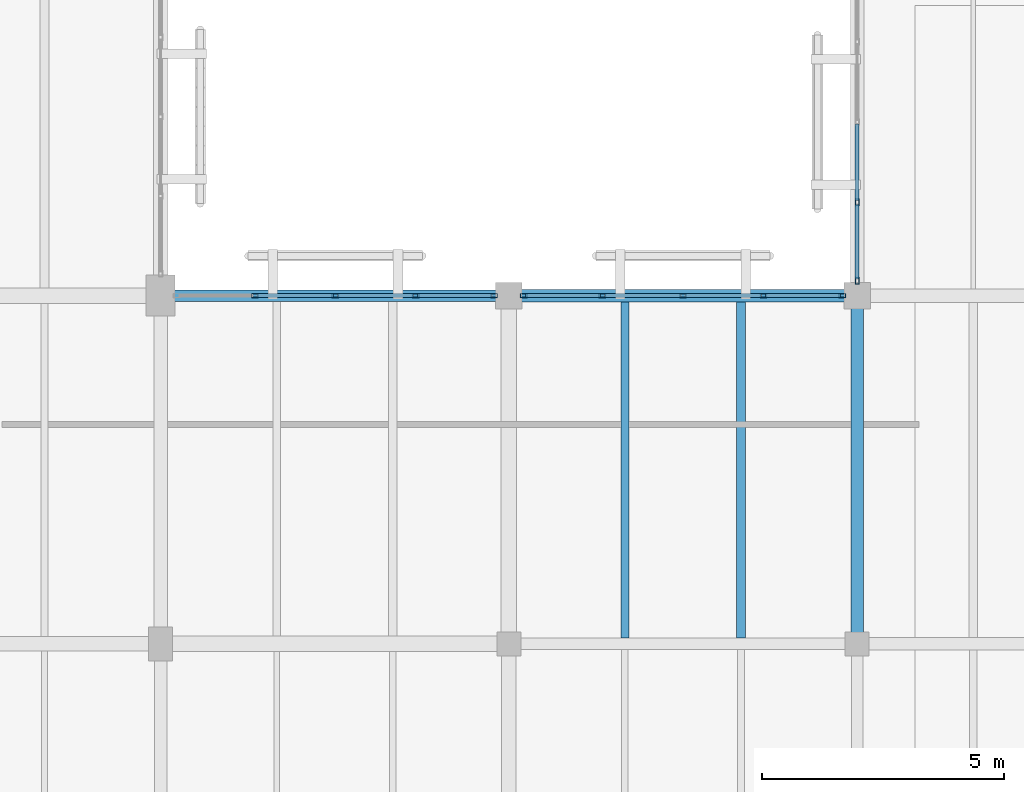
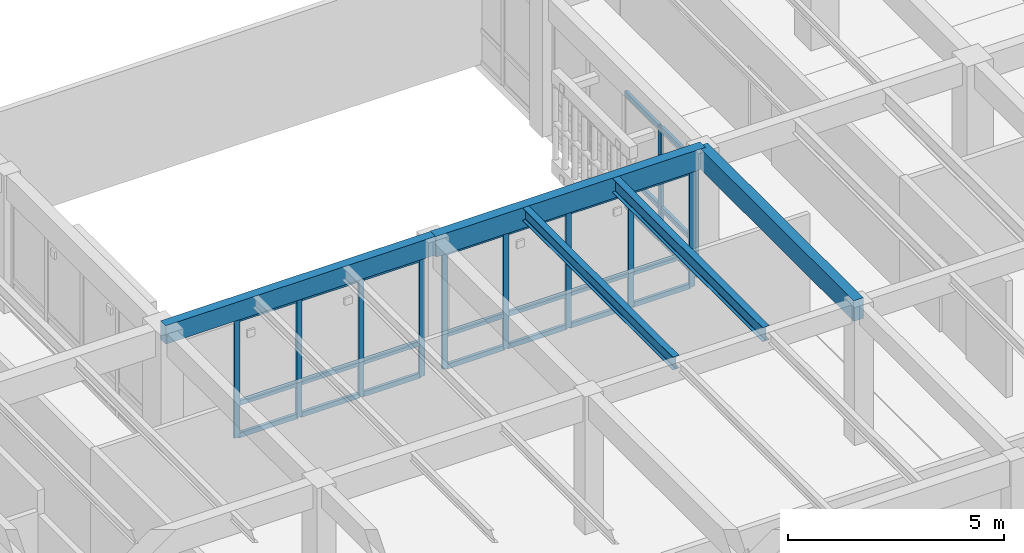
# One storey, part 31 of 170: 38 members, 5 beams, 3 elements without a shape of their own.
"""IFC4 building model written with IfcOpenShell, lengths in metres."""

from ifc_helpers import new_model, si_unit, direction, frame, origin, origin_2d, place, context, subcontext, project, spatial, rectangle, hollow_rectangle, i_section, extrude, material, layer, layer_set, material_profile, profile_set, type_object, element, aggregate, save


model = new_model("IFC4")

# Units and contexts
model_context = context("Model", 3, precision=1e-05, world=origin(), true_north=direction((0.0, 1.0)))
body_context = subcontext(model_context, "Body", "Model", "MODEL_VIEW")
ifc_project = project(units=[si_unit("LENGTHUNIT", "METRE"), si_unit("AREAUNIT", "SQUARE_METRE"), si_unit("VOLUMEUNIT", "CUBIC_METRE"), si_unit("PLANEANGLEUNIT", "RADIAN"), si_unit("MASSUNIT", "GRAM", prefix="KILO")], contexts=[model_context])

# Site, building, storey
site_placement = place(None, origin())
site = spatial("IfcSite", under=ifc_project, at=site_placement, CompositionType="ELEMENT")
building_placement = place(site_placement, origin())
building = spatial("IfcBuilding", under=site, at=building_placement, Name="Mazaris Harbour Polytechnic", CompositionType="ELEMENT")
storey_placement = place(building_placement, frame((0.0, 0.0, 5.39990234375)))
storey = spatial("IfcBuildingStorey", under=building, at=storey_placement, Name="L01", CompositionType="ELEMENT", Elevation=5.39990234375)

# Curtain wall, members
ifc_material_1 = material(Name="Anodised Bronze Aluminium and Low-E Glass", Category="aluminium")
ifc_layer = layer(ifc_material_1, 0.159912109375, Name="Anodised Bronze Aluminium and Low-E Glass")
ifc_layer_set = layer_set([ifc_layer], Name="Anodised Bronze Aluminium and Low-E Glass")
curtain_wall_type = type_object("IfcCurtainWallType", Name="Cloister Court Curtain Wall", PredefinedType="NOTDEFINED", material=ifc_layer_set)
curtain_wall_1_placement = place(storey_placement, origin())
curtain_wall_1 = element("IfcCurtainWall", 1, at=curtain_wall_1_placement, inside=storey, type_object=curtain_wall_type, Name="V4 L01 Curtain Wall 116", PredefinedType="NOTDEFINED")
ifc_material_2 = material(Name="Anodised Bronze Steel S355", Category="steel")
ifc_material_profile_1 = material_profile(ifc_material_2, hollow_rectangle(XDim=0.080078125, YDim=0.139892578125, WallThickness=0.00634765625, at=origin_2d()), Name="RHS 80x140x6.3")
ifc_profile_set_1 = profile_set([ifc_material_profile_1], Name="Anodised Bronze Steel S355")
member_type_1 = type_object("IfcMemberType", Name="Curtain Mullion RHS80x140", PredefinedType="MULLION", material=ifc_profile_set_1)
member_1_placement = place(storey_placement, frame((16.352294921875, 36.0, 0.0), z_axis=(0.0, 0.0, 1.0), x_axis=(0.0, 1.0, 0.0)))
member_1 = element("IfcMember", 2, at=member_1_placement, type_object=member_type_1, Name="CW-02 mullion 2", PredefinedType="MULLION", context=body_context, shape_type="SweptSolid", body=[
    extrude(hollow_rectangle(XDim=0.080078125, YDim=0.139892578125, WallThickness=0.00634765625, at=origin_2d()), origin(), (0.0, 0.0, 1.0), 3.360107421875),
])
member_2_placement = place(storey_placement, frame((18.012451171875, 36.0, 0.0), z_axis=(0.0, 0.0, 1.0), x_axis=(0.0, 1.0, 0.0)))
member_2 = element("IfcMember", 3, at=member_2_placement, type_object=member_type_1, Name="CW-02 mullion 3", PredefinedType="MULLION", context=body_context, shape_type="SweptSolid", body=[
    extrude(hollow_rectangle(XDim=0.080078125, YDim=0.139892578125, WallThickness=0.00634765625, at=origin_2d()), origin(), (0.0, 0.0, 1.0), 3.360107421875),
])
member_3_placement = place(storey_placement, frame((19.6728515625, 36.0, 0.0), z_axis=(0.0, 0.0, 1.0), x_axis=(0.0, 1.0, 0.0)))
member_3 = element("IfcMember", 4, at=member_3_placement, type_object=member_type_1, Name="CW-02 mullion 4", PredefinedType="MULLION", context=body_context, shape_type="SweptSolid", body=[
    extrude(hollow_rectangle(XDim=0.080078125, YDim=0.139892578125, WallThickness=0.00634765625, at=origin_2d()), origin(), (0.0, 0.0, 1.0), 3.360107421875),
])
member_4_placement = place(storey_placement, frame((21.29296875, 36.0, 0.0), z_axis=(0.0, 0.0, 1.0), x_axis=(0.0, 1.0, 0.0)))
member_4 = element("IfcMember", 5, at=member_4_placement, type_object=member_type_1, Name="CW-02 mullion 5", PredefinedType="MULLION", context=body_context, shape_type="SweptSolid", body=[
    extrude(hollow_rectangle(XDim=0.080078125, YDim=0.139892578125, WallThickness=0.00634765625, at=origin_2d()), origin(), (0.0, 0.0, 1.0), 3.360107421875),
])

curtain_wall_2_placement = place(storey_placement, origin())
curtain_wall_2 = element("IfcCurtainWall", 6, at=curtain_wall_2_placement, inside=storey, type_object=curtain_wall_type, Name="V4 L01 Curtain Wall 117", PredefinedType="NOTDEFINED")
member_5_placement = place(storey_placement, frame((21.906982421875, 36.0, 0.0), z_axis=(0.0, 0.0, 1.0), x_axis=(0.0, 1.0, 0.0)))
member_5 = element("IfcMember", 7, at=member_5_placement, type_object=member_type_1, Name="CW-02 mullion 1", PredefinedType="MULLION", context=body_context, shape_type="SweptSolid", body=[
    extrude(hollow_rectangle(XDim=0.080078125, YDim=0.139892578125, WallThickness=0.00634765625, at=origin_2d()), origin(), (0.0, 0.0, 1.0), 3.300048828125),
])
member_6_placement = place(storey_placement, frame((23.533447265625, 36.0, 0.0), z_axis=(0.0, 0.0, 1.0), x_axis=(0.0, 1.0, 0.0)))
member_6 = element("IfcMember", 8, at=member_6_placement, type_object=member_type_1, Name="CW-02 mullion 2", PredefinedType="MULLION", context=body_context, shape_type="SweptSolid", body=[
    extrude(hollow_rectangle(XDim=0.080078125, YDim=0.139892578125, WallThickness=0.00634765625, at=origin_2d()), origin(), (0.0, 0.0, 1.0), 3.300048828125),
])
member_7_placement = place(storey_placement, frame((25.199951171875, 36.0, 0.0), z_axis=(0.0, 0.0, 1.0), x_axis=(0.0, 1.0, 0.0)))
member_7 = element("IfcMember", 9, at=member_7_placement, type_object=member_type_1, Name="CW-02 mullion 3", PredefinedType="MULLION", context=body_context, shape_type="SweptSolid", body=[
    extrude(hollow_rectangle(XDim=0.080078125, YDim=0.139892578125, WallThickness=0.00634765625, at=origin_2d()), origin(), (0.0, 0.0, 1.0), 3.300048828125),
])
member_8_placement = place(storey_placement, frame((26.866455078125, 36.0, 0.0), z_axis=(0.0, 0.0, 1.0), x_axis=(0.0, 1.0, 0.0)))
member_8 = element("IfcMember", 10, at=member_8_placement, type_object=member_type_1, Name="CW-02 mullion 4", PredefinedType="MULLION", context=body_context, shape_type="SweptSolid", body=[
    extrude(hollow_rectangle(XDim=0.080078125, YDim=0.139892578125, WallThickness=0.00634765625, at=origin_2d()), origin(), (0.0, 0.0, 1.0), 3.300048828125),
])
member_9_placement = place(storey_placement, frame((28.492919921875, 36.0, 0.0), z_axis=(0.0, 0.0, 1.0), x_axis=(0.0, 1.0, 0.0)))
member_9 = element("IfcMember", 11, at=member_9_placement, type_object=member_type_1, Name="CW-02 mullion 5", PredefinedType="MULLION", context=body_context, shape_type="SweptSolid", body=[
    extrude(hollow_rectangle(XDim=0.080078125, YDim=0.139892578125, WallThickness=0.00634765625, at=origin_2d()), origin(), (0.0, 0.0, 1.0), 3.300048828125),
])

curtain_wall_3_placement = place(storey_placement, origin())
curtain_wall_3 = element("IfcCurtainWall", 12, at=curtain_wall_3_placement, inside=storey, type_object=curtain_wall_type, Name="V4 L01 Curtain Wall 124", PredefinedType="NOTDEFINED")
member_10_placement = place(storey_placement, frame((28.800048828125, 37.92724609375, 0.0), z_axis=(0.0, 0.0, 1.0), x_axis=(1.0, 0.0, 0.0)))
member_10 = element("IfcMember", 13, at=member_10_placement, type_object=member_type_1, Name="CW-02 mullion 4", PredefinedType="MULLION", context=body_context, shape_type="SweptSolid", body=[
    extrude(hollow_rectangle(XDim=0.080078125, YDim=0.139892578125, WallThickness=0.00634765625, at=origin_2d()), origin(), (0.0, 0.0, 1.0), 3.239990234375),
])
member_11_placement = place(storey_placement, frame((28.800048828125, 36.306884765625, 0.0), z_axis=(0.0, 0.0, 1.0), x_axis=(1.0, 0.0, 0.0)))
member_11 = element("IfcMember", 14, at=member_11_placement, type_object=member_type_1, Name="CW-02 mullion 5", PredefinedType="MULLION", context=body_context, shape_type="SweptSolid", body=[
    extrude(hollow_rectangle(XDim=0.080078125, YDim=0.139892578125, WallThickness=0.00634765625, at=origin_2d()), origin(), (0.0, 0.0, 1.0), 3.239990234375),
])

# Member
ifc_material_3 = material(Name="Anodised Bronze Steel S355", Category="steel")
ifc_material_profile_2 = material_profile(ifc_material_3, hollow_rectangle(XDim=0.080078125, YDim=0.139892578125, WallThickness=0.00634765625, at=origin_2d()), Name="RHS 80x140x6.3")
ifc_profile_set_2 = profile_set([ifc_material_profile_2], Name="Anodised Bronze Steel S355")
member_type_2 = type_object("IfcMemberType", Name="Curtain Transom RHS80x140", PredefinedType="USERDEFINED", material=ifc_profile_set_2)
member_12_placement = place(storey_placement, frame((16.392333984375, 36.0, 0.0400390625), z_axis=(1.0, 0.0, 0.0), x_axis=(0.0, 1.0, 0.0)))
member_12 = element("IfcMember", 15, at=member_12_placement, type_object=member_type_2, Name="CW-02 transom 2.1", ObjectType="TRANSOM", PredefinedType="USERDEFINED", context=body_context, shape_type="SweptSolid", body=[
    extrude(hollow_rectangle(XDim=0.080078125, YDim=0.139892578125, WallThickness=0.00634765625, at=origin_2d()), origin(), (0.0, 0.0, 1.0), 1.580078125),
])

member_13_placement = place(storey_placement, frame((16.392333984375, 36.0, 0.9501953125), z_axis=(1.0, 0.0, 0.0), x_axis=(0.0, 1.0, 0.0)))
member_13 = element("IfcMember", 16, at=member_13_placement, type_object=member_type_2, Name="CW-02 transom 2.2", ObjectType="TRANSOM", PredefinedType="USERDEFINED", context=body_context, shape_type="SweptSolid", body=[
    extrude(hollow_rectangle(XDim=0.080078125, YDim=0.139892578125, WallThickness=0.00634765625, at=origin_2d()), origin(), (0.0, 0.0, 1.0), 1.580078125),
])

member_14_placement = place(storey_placement, frame((16.392333984375, 36.0, 3.320068359375), z_axis=(1.0, 0.0, 0.0), x_axis=(0.0, 1.0, 0.0)))
member_14 = element("IfcMember", 17, at=member_14_placement, type_object=member_type_2, Name="CW-02 transom 2.3", ObjectType="TRANSOM", PredefinedType="USERDEFINED", context=body_context, shape_type="SweptSolid", body=[
    extrude(hollow_rectangle(XDim=0.080078125, YDim=0.139892578125, WallThickness=0.00634765625, at=origin_2d()), origin(), (0.0, 0.0, 1.0), 1.580078125),
])

member_15_placement = place(storey_placement, frame((18.052490234375, 36.0, 0.0400390625), z_axis=(1.0, 0.0, 0.0), x_axis=(0.0, 1.0, 0.0)))
member_15 = element("IfcMember", 18, at=member_15_placement, type_object=member_type_2, Name="CW-02 transom 3.1", ObjectType="TRANSOM", PredefinedType="USERDEFINED", context=body_context, shape_type="SweptSolid", body=[
    extrude(hollow_rectangle(XDim=0.080078125, YDim=0.139892578125, WallThickness=0.00634765625, at=origin_2d()), origin(), (0.0, 0.0, 1.0), 1.580322265625),
])

member_16_placement = place(storey_placement, frame((18.052490234375, 36.0, 0.9501953125), z_axis=(1.0, 0.0, 0.0), x_axis=(0.0, 1.0, 0.0)))
member_16 = element("IfcMember", 19, at=member_16_placement, type_object=member_type_2, Name="CW-02 transom 3.2", ObjectType="TRANSOM", PredefinedType="USERDEFINED", context=body_context, shape_type="SweptSolid", body=[
    extrude(hollow_rectangle(XDim=0.080078125, YDim=0.139892578125, WallThickness=0.00634765625, at=origin_2d()), origin(), (0.0, 0.0, 1.0), 1.580322265625),
])

member_17_placement = place(storey_placement, frame((18.052490234375, 36.0, 3.320068359375), z_axis=(1.0, 0.0, 0.0), x_axis=(0.0, 1.0, 0.0)))
member_17 = element("IfcMember", 20, at=member_17_placement, type_object=member_type_2, Name="CW-02 transom 3.3", ObjectType="TRANSOM", PredefinedType="USERDEFINED", context=body_context, shape_type="SweptSolid", body=[
    extrude(hollow_rectangle(XDim=0.080078125, YDim=0.139892578125, WallThickness=0.00634765625, at=origin_2d()), origin(), (0.0, 0.0, 1.0), 1.580322265625),
])

member_18_placement = place(storey_placement, frame((19.712646484375, 36.0, 0.0400390625), z_axis=(1.0, 0.0, 0.0), x_axis=(0.0, 1.0, 0.0)))
member_18 = element("IfcMember", 21, at=member_18_placement, type_object=member_type_2, Name="CW-02 transom 4.1", ObjectType="TRANSOM", PredefinedType="USERDEFINED", context=body_context, shape_type="SweptSolid", body=[
    extrude(hollow_rectangle(XDim=0.080078125, YDim=0.139892578125, WallThickness=0.00634765625, at=origin_2d()), origin(), (0.0, 0.0, 1.0), 1.540283203125),
])

member_19_placement = place(storey_placement, frame((19.712646484375, 36.0, 0.9501953125), z_axis=(1.0, 0.0, 0.0), x_axis=(0.0, 1.0, 0.0)))
member_19 = element("IfcMember", 22, at=member_19_placement, type_object=member_type_2, Name="CW-02 transom 4.2", ObjectType="TRANSOM", PredefinedType="USERDEFINED", context=body_context, shape_type="SweptSolid", body=[
    extrude(hollow_rectangle(XDim=0.080078125, YDim=0.139892578125, WallThickness=0.00634765625, at=origin_2d()), origin(), (0.0, 0.0, 1.0), 1.540283203125),
])

member_20_placement = place(storey_placement, frame((19.712646484375, 36.0, 3.320068359375), z_axis=(1.0, 0.0, 0.0), x_axis=(0.0, 1.0, 0.0)))
member_20 = element("IfcMember", 23, at=member_20_placement, type_object=member_type_2, Name="CW-02 transom 4.3", ObjectType="TRANSOM", PredefinedType="USERDEFINED", context=body_context, shape_type="SweptSolid", body=[
    extrude(hollow_rectangle(XDim=0.080078125, YDim=0.139892578125, WallThickness=0.00634765625, at=origin_2d()), origin(), (0.0, 0.0, 1.0), 1.540283203125),
])

aggregate(curtain_wall_1, [member_1, member_2, member_3, member_4, member_12, member_13, member_14, member_15, member_16, member_17, member_18, member_19, member_20])

member_21_placement = place(storey_placement, frame((21.947021484375, 36.0, 0.0400390625), z_axis=(1.0, 0.0, 0.0), x_axis=(0.0, 1.0, 0.0)))
member_21 = element("IfcMember", 24, at=member_21_placement, type_object=member_type_2, Name="CW-02 transom 1.1", ObjectType="TRANSOM", PredefinedType="USERDEFINED", context=body_context, shape_type="SweptSolid", body=[
    extrude(hollow_rectangle(XDim=0.080078125, YDim=0.139892578125, WallThickness=0.00634765625, at=origin_2d()), origin(), (0.0, 0.0, 1.0), 1.54638671875),
])

member_22_placement = place(storey_placement, frame((21.947021484375, 36.0, 0.9501953125), z_axis=(1.0, 0.0, 0.0), x_axis=(0.0, 1.0, 0.0)))
member_22 = element("IfcMember", 25, at=member_22_placement, type_object=member_type_2, Name="CW-02 transom 1.2", ObjectType="TRANSOM", PredefinedType="USERDEFINED", context=body_context, shape_type="SweptSolid", body=[
    extrude(hollow_rectangle(XDim=0.080078125, YDim=0.139892578125, WallThickness=0.00634765625, at=origin_2d()), origin(), (0.0, 0.0, 1.0), 1.54638671875),
])

member_23_placement = place(storey_placement, frame((21.947021484375, 36.0, 3.260009765625), z_axis=(1.0, 0.0, 0.0), x_axis=(0.0, 1.0, 0.0)))
member_23 = element("IfcMember", 26, at=member_23_placement, type_object=member_type_2, Name="CW-02 transom 1.3", ObjectType="TRANSOM", PredefinedType="USERDEFINED", context=body_context, shape_type="SweptSolid", body=[
    extrude(hollow_rectangle(XDim=0.080078125, YDim=0.139892578125, WallThickness=0.00634765625, at=origin_2d()), origin(), (0.0, 0.0, 1.0), 1.54638671875),
])

member_24_placement = place(storey_placement, frame((23.573486328125, 36.0, 0.0400390625), z_axis=(1.0, 0.0, 0.0), x_axis=(0.0, 1.0, 0.0)))
member_24 = element("IfcMember", 27, at=member_24_placement, type_object=member_type_2, Name="CW-02 transom 2.1", ObjectType="TRANSOM", PredefinedType="USERDEFINED", context=body_context, shape_type="SweptSolid", body=[
    extrude(hollow_rectangle(XDim=0.080078125, YDim=0.139892578125, WallThickness=0.00634765625, at=origin_2d()), origin(), (0.0, 0.0, 1.0), 1.58642578125),
])

member_25_placement = place(storey_placement, frame((23.573486328125, 36.0, 0.9501953125), z_axis=(1.0, 0.0, 0.0), x_axis=(0.0, 1.0, 0.0)))
member_25 = element("IfcMember", 28, at=member_25_placement, type_object=member_type_2, Name="CW-02 transom 2.2", ObjectType="TRANSOM", PredefinedType="USERDEFINED", context=body_context, shape_type="SweptSolid", body=[
    extrude(hollow_rectangle(XDim=0.080078125, YDim=0.139892578125, WallThickness=0.00634765625, at=origin_2d()), origin(), (0.0, 0.0, 1.0), 1.58642578125),
])

member_26_placement = place(storey_placement, frame((23.573486328125, 36.0, 3.260009765625), z_axis=(1.0, 0.0, 0.0), x_axis=(0.0, 1.0, 0.0)))
member_26 = element("IfcMember", 29, at=member_26_placement, type_object=member_type_2, Name="CW-02 transom 2.3", ObjectType="TRANSOM", PredefinedType="USERDEFINED", context=body_context, shape_type="SweptSolid", body=[
    extrude(hollow_rectangle(XDim=0.080078125, YDim=0.139892578125, WallThickness=0.00634765625, at=origin_2d()), origin(), (0.0, 0.0, 1.0), 1.58642578125),
])

member_27_placement = place(storey_placement, frame((25.239990234375, 36.0, 0.0400390625), z_axis=(1.0, 0.0, 0.0), x_axis=(0.0, 1.0, 0.0)))
member_27 = element("IfcMember", 30, at=member_27_placement, type_object=member_type_2, Name="CW-02 transom 3.1", ObjectType="TRANSOM", PredefinedType="USERDEFINED", context=body_context, shape_type="SweptSolid", body=[
    extrude(hollow_rectangle(XDim=0.080078125, YDim=0.139892578125, WallThickness=0.00634765625, at=origin_2d()), origin(), (0.0, 0.0, 1.0), 1.58642578125),
])

member_28_placement = place(storey_placement, frame((25.239990234375, 36.0, 0.9501953125), z_axis=(1.0, 0.0, 0.0), x_axis=(0.0, 1.0, 0.0)))
member_28 = element("IfcMember", 31, at=member_28_placement, type_object=member_type_2, Name="CW-02 transom 3.2", ObjectType="TRANSOM", PredefinedType="USERDEFINED", context=body_context, shape_type="SweptSolid", body=[
    extrude(hollow_rectangle(XDim=0.080078125, YDim=0.139892578125, WallThickness=0.00634765625, at=origin_2d()), origin(), (0.0, 0.0, 1.0), 1.58642578125),
])

member_29_placement = place(storey_placement, frame((25.239990234375, 36.0, 3.260009765625), z_axis=(1.0, 0.0, 0.0), x_axis=(0.0, 1.0, 0.0)))
member_29 = element("IfcMember", 32, at=member_29_placement, type_object=member_type_2, Name="CW-02 transom 3.3", ObjectType="TRANSOM", PredefinedType="USERDEFINED", context=body_context, shape_type="SweptSolid", body=[
    extrude(hollow_rectangle(XDim=0.080078125, YDim=0.139892578125, WallThickness=0.00634765625, at=origin_2d()), origin(), (0.0, 0.0, 1.0), 1.58642578125),
])

member_30_placement = place(storey_placement, frame((26.906494140625, 36.0, 0.0400390625), z_axis=(1.0, 0.0, 0.0), x_axis=(0.0, 1.0, 0.0)))
member_30 = element("IfcMember", 33, at=member_30_placement, type_object=member_type_2, Name="CW-02 transom 4.1", ObjectType="TRANSOM", PredefinedType="USERDEFINED", context=body_context, shape_type="SweptSolid", body=[
    extrude(hollow_rectangle(XDim=0.080078125, YDim=0.139892578125, WallThickness=0.00634765625, at=origin_2d()), origin(), (0.0, 0.0, 1.0), 1.54638671875),
])

member_31_placement = place(storey_placement, frame((26.906494140625, 36.0, 0.9501953125), z_axis=(1.0, 0.0, 0.0), x_axis=(0.0, 1.0, 0.0)))
member_31 = element("IfcMember", 34, at=member_31_placement, type_object=member_type_2, Name="CW-02 transom 4.2", ObjectType="TRANSOM", PredefinedType="USERDEFINED", context=body_context, shape_type="SweptSolid", body=[
    extrude(hollow_rectangle(XDim=0.080078125, YDim=0.139892578125, WallThickness=0.00634765625, at=origin_2d()), origin(), (0.0, 0.0, 1.0), 1.54638671875),
])

member_32_placement = place(storey_placement, frame((26.906494140625, 36.0, 3.260009765625), z_axis=(1.0, 0.0, 0.0), x_axis=(0.0, 1.0, 0.0)))
member_32 = element("IfcMember", 35, at=member_32_placement, type_object=member_type_2, Name="CW-02 transom 4.3", ObjectType="TRANSOM", PredefinedType="USERDEFINED", context=body_context, shape_type="SweptSolid", body=[
    extrude(hollow_rectangle(XDim=0.080078125, YDim=0.139892578125, WallThickness=0.00634765625, at=origin_2d()), origin(), (0.0, 0.0, 1.0), 1.54638671875),
])

aggregate(curtain_wall_2, [member_5, member_6, member_7, member_8, member_9, member_21, member_22, member_23, member_24, member_25, member_26, member_27, member_28, member_29, member_30, member_31, member_32])

member_33_placement = place(storey_placement, frame((28.800048828125, 39.547607421875, 0.0400390625), z_axis=(0.0, -1.0, 0.0), x_axis=(1.0, 0.0, 0.0)))
member_33 = element("IfcMember", 36, at=member_33_placement, type_object=member_type_2, Name="CW-02 transom 3.1", ObjectType="TRANSOM", PredefinedType="USERDEFINED", context=body_context, shape_type="SweptSolid", body=[
    extrude(hollow_rectangle(XDim=0.080078125, YDim=0.139892578125, WallThickness=0.00634765625, at=origin_2d()), origin(), (0.0, 0.0, 1.0), 1.580322265625),
])

member_34_placement = place(storey_placement, frame((28.800048828125, 39.547607421875, 0.9501953125), z_axis=(0.0, -1.0, 0.0), x_axis=(1.0, 0.0, 0.0)))
member_34 = element("IfcMember", 37, at=member_34_placement, type_object=member_type_2, Name="CW-02 transom 3.2", ObjectType="TRANSOM", PredefinedType="USERDEFINED", context=body_context, shape_type="SweptSolid", body=[
    extrude(hollow_rectangle(XDim=0.080078125, YDim=0.139892578125, WallThickness=0.00634765625, at=origin_2d()), origin(), (0.0, 0.0, 1.0), 1.580322265625),
])

member_35_placement = place(storey_placement, frame((28.800048828125, 39.547607421875, 3.2001953125), z_axis=(0.0, -1.0, 0.0), x_axis=(1.0, 0.0, 0.0)))
member_35 = element("IfcMember", 38, at=member_35_placement, type_object=member_type_2, Name="CW-02 transom 3.3", ObjectType="TRANSOM", PredefinedType="USERDEFINED", context=body_context, shape_type="SweptSolid", body=[
    extrude(hollow_rectangle(XDim=0.080078125, YDim=0.139892578125, WallThickness=0.00634765625, at=origin_2d()), origin(), (0.0, 0.0, 1.0), 1.580322265625),
])

member_36_placement = place(storey_placement, frame((28.800048828125, 37.88720703125, 0.0400390625), z_axis=(0.0, -1.0, 0.0), x_axis=(1.0, 0.0, 0.0)))
member_36 = element("IfcMember", 39, at=member_36_placement, type_object=member_type_2, Name="CW-02 transom 4.1", ObjectType="TRANSOM", PredefinedType="USERDEFINED", context=body_context, shape_type="SweptSolid", body=[
    extrude(hollow_rectangle(XDim=0.080078125, YDim=0.139892578125, WallThickness=0.00634765625, at=origin_2d()), origin(), (0.0, 0.0, 1.0), 1.540283203125),
])

member_37_placement = place(storey_placement, frame((28.800048828125, 37.88720703125, 0.9501953125), z_axis=(0.0, -1.0, 0.0), x_axis=(1.0, 0.0, 0.0)))
member_37 = element("IfcMember", 40, at=member_37_placement, type_object=member_type_2, Name="CW-02 transom 4.2", ObjectType="TRANSOM", PredefinedType="USERDEFINED", context=body_context, shape_type="SweptSolid", body=[
    extrude(hollow_rectangle(XDim=0.080078125, YDim=0.139892578125, WallThickness=0.00634765625, at=origin_2d()), origin(), (0.0, 0.0, 1.0), 1.540283203125),
])

member_38_placement = place(storey_placement, frame((28.800048828125, 37.88720703125, 3.2001953125), z_axis=(0.0, -1.0, 0.0), x_axis=(1.0, 0.0, 0.0)))
member_38 = element("IfcMember", 41, at=member_38_placement, type_object=member_type_2, Name="CW-02 transom 4.3", ObjectType="TRANSOM", PredefinedType="USERDEFINED", context=body_context, shape_type="SweptSolid", body=[
    extrude(hollow_rectangle(XDim=0.080078125, YDim=0.139892578125, WallThickness=0.00634765625, at=origin_2d()), origin(), (0.0, 0.0, 1.0), 1.540283203125),
])

aggregate(curtain_wall_3, [member_10, member_11, member_33, member_34, member_35, member_36, member_37, member_38])

# Beams
ifc_material_4 = material(Name="Glulam GL32h", Category="wood")
ifc_material_profile_3 = material_profile(ifc_material_4, rectangle(XDim=0.239990234375, YDim=0.52001953125, at=origin_2d()), Name="RECT240x520")
ifc_profile_set_3 = profile_set([ifc_material_profile_3], Name="Glulam GL32h")
beam_type_1 = type_object("IfcBeamType", Name="Glulam Girder 240x520", PredefinedType="BEAM", material=ifc_profile_set_3)
beam_1_placement = place(storey_placement, frame((14.39990234375, 36.0, 3.630126953125), z_axis=(1.0, 0.0, 0.0), x_axis=(0.0, 1.0, 0.0)))
element("IfcBeam", 42, at=beam_1_placement, inside=storey, type_object=beam_type_1, Name="V4 L01 Girder 1650", PredefinedType="BEAM", context=body_context, shape_type="SweptSolid", body=[
    extrude(rectangle(XDim=0.239990234375, YDim=0.52001953125, at=origin_2d()), origin(), (0.0, 0.0, 1.0), 7.2001953125),
])
ifc_material_5 = material(Name="Glulam GL32h", Category="wood")
ifc_material_profile_4 = material_profile(ifc_material_5, rectangle(XDim=0.260009765625, YDim=0.580078125, at=origin_2d()), Name="RECT260x580")
ifc_profile_set_4 = profile_set([ifc_material_profile_4], Name="Glulam GL32h")
beam_type_2 = type_object("IfcBeamType", Name="Glulam Girder 260x580", PredefinedType="BEAM", material=ifc_profile_set_4)
for number, where, z_axis, x_axis, name in (
    (43, (21.60009765625, 36.0, 3.60009765625), (1.0, 0.0, 0.0), (0.0, 1.0, 0.0), "V4 L01 Girder 1651"),
    (44, (28.800048828125, 28.800048828125, 3.60009765625), (0.0, 1.0, 0.0), (-1.0, 0.0, 0.0), "V4 L01 Tie Girder 1741"),
):
    element("IfcBeam", number, at=place(storey_placement, frame(where, z_axis=z_axis, x_axis=x_axis)), inside=storey, type_object=beam_type_2, Name=name, PredefinedType="BEAM", context=body_context, shape_type="SweptSolid", body=[
        extrude(rectangle(XDim=0.260009765625, YDim=0.580078125, at=origin_2d()), origin(), (0.0, 0.0, 1.0), 7.199951171875),
    ])
ifc_material_6 = material(Name="Steel S355", Category="steel")
ifc_material_profile_5 = material_profile(ifc_material_6, i_section(OverallWidth=0.169921875, OverallDepth=0.360107421875, WebThickness=0.008056640625, FlangeThickness=0.0126953125, FilletRadius=0.01806640625, at=origin_2d()), Name="IPE 360")
ifc_profile_set_5 = profile_set([ifc_material_profile_5], Name="Steel S355")
beam_type_3 = type_object("IfcBeamType", Name="Steel Joist IPE360", PredefinedType="JOIST", material=ifc_profile_set_5)
beam_2_placement = place(storey_placement, frame((24.0, 28.919921875, 3.710205078125), z_axis=(0.0, 1.0, 0.0), x_axis=(-1.0, 0.0, 0.0)))
element("IfcBeam", 45, at=beam_2_placement, inside=storey, type_object=beam_type_3, Name="V4 L01 Floor Joist 1838", PredefinedType="JOIST", context=body_context, shape_type="SweptSolid", body=[
    extrude(i_section(OverallWidth=0.169921875, OverallDepth=0.360107421875, WebThickness=0.008056640625, FlangeThickness=0.0126953125, FilletRadius=0.01806640625, at=origin_2d()), origin(), (0.0, 0.0, 1.0), 6.9501953125),
])
ifc_material_7 = material(Name="Steel S355", Category="steel")
ifc_material_profile_6 = material_profile(ifc_material_7, i_section(OverallWidth=0.179931640625, OverallDepth=0.39990234375, WebThickness=0.008544921875, FlangeThickness=0.013427734375, FilletRadius=0.02099609375, at=origin_2d()), Name="IPE 400")
ifc_profile_set_6 = profile_set([ifc_material_profile_6], Name="Steel S355")
beam_type_4 = type_object("IfcBeamType", Name="Steel Joist IPE400", PredefinedType="JOIST", material=ifc_profile_set_6)
beam_3_placement = place(storey_placement, frame((26.39990234375, 28.919921875, 3.690185546875), z_axis=(0.0, 1.0, 0.0), x_axis=(-1.0, 0.0, 0.0)))
element("IfcBeam", 46, at=beam_3_placement, inside=storey, type_object=beam_type_4, Name="V4 L01 Floor Joist 1839", PredefinedType="JOIST", context=body_context, shape_type="SweptSolid", body=[
    extrude(i_section(OverallWidth=0.179931640625, OverallDepth=0.39990234375, WebThickness=0.008544921875, FlangeThickness=0.013427734375, FilletRadius=0.02099609375, at=origin_2d()), origin(), (0.0, 0.0, 1.0), 6.9501953125),
])

save(model, "model.ifc")
